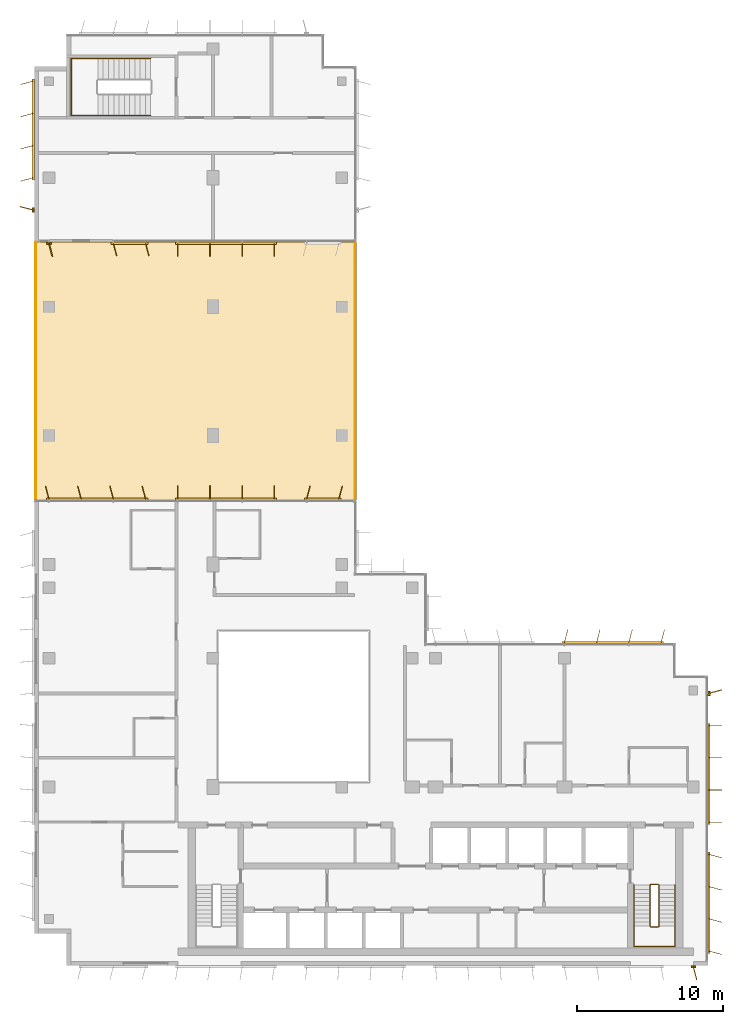
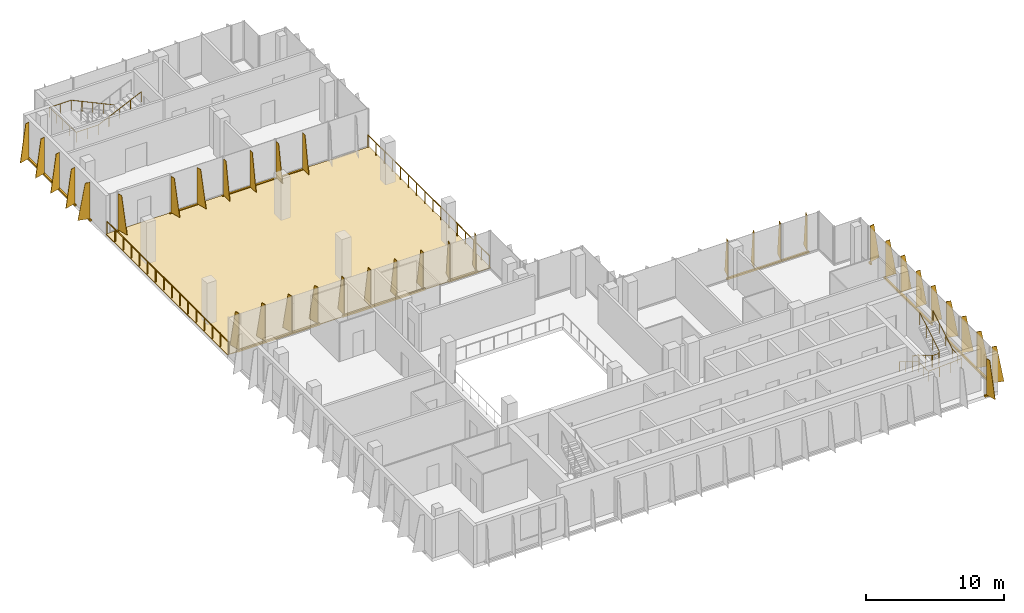
# One storey, part 14 of 15: 13 shading devices, 5 railings, 1 covering.
"""IFC4 building model written with IfcOpenShell, lengths in metres."""

from ifc_helpers import new_model, si_unit, direction, frame, origin, origin_2d, place, context, subcontext, project, spatial, polyline, rectangle, circle, outline, extrude, source, transform, mapped, material, layer, layer_set, type_object, element, save


model = new_model("IFC4")

# Units and contexts
model_context = context("Model", 3, precision=1e-05, world=origin(), true_north=direction((0.0, 1.0)))
body_context = subcontext(model_context, "Body", "Model", "MODEL_VIEW")
ifc_project = project(units=[si_unit("LENGTHUNIT", "METRE"), si_unit("AREAUNIT", "SQUARE_METRE"), si_unit("VOLUMEUNIT", "CUBIC_METRE"), si_unit("PLANEANGLEUNIT", "RADIAN"), si_unit("MASSUNIT", "GRAM", prefix="KILO")], contexts=[model_context])

# Site, building, storey
site_placement = place(None, origin())
site = spatial("IfcSite", under=ifc_project, at=site_placement, CompositionType="ELEMENT")
building_placement = place(site_placement, origin())
building = spatial("IfcBuilding", under=site, at=building_placement, Name="Kemantara Hotel Tower", CompositionType="ELEMENT")
storey_placement = place(building_placement, frame((0.0, 0.0, 241.300048828125)))
storey = spatial("IfcBuildingStorey", under=building, at=storey_placement, Name="L60", CompositionType="ELEMENT", Elevation=241.300048828125)

# Railings
ifc_material_1 = material(Name="Stainless steel balustrade", Category="steel")
railing_type_1 = type_object("IfcRailingType", Name="Stair guard 1100 mm", PredefinedType="GUARDRAIL", material=ifc_material_1)
railing_1_placement = place(storey_placement, frame((42.64990234375, 5.5, 3.699951171875)))
element("IfcRailing", 1, at=railing_1_placement, inside=storey, type_object=railing_type_1, Name="L60 ST2 stair guard 1", PredefinedType="GUARDRAIL", context=body_context, shape_type="SweptSolid", body=[
    extrude(circle(Radius=0.02392578125, at=origin_2d()), frame((0.0, 0.0, 1.076171875), z_axis=(0.0, -0.857242210791, -0.514913383045), x_axis=(1.0, 0.0, 0.0)), (0.0, 0.0, 1.0), 3.266357421875),
    extrude(circle(Radius=0.02392578125, at=origin_2d()), frame((0.0, -2.800048828125, -0.60595703125), z_axis=(-0.273006030465, -0.27434429532, -0.922064485248), x_axis=(0.708833529934, -0.705375805398, 0.0)), (0.0, 0.0, 1.0), 0.182373046875),
    extrude(circle(Radius=0.02392578125, at=origin_2d()), frame((-0.0498046875, -2.85009765625, -0.77392578125), z_axis=(-1.0, 0.0, 0.0), x_axis=(0.0, -1.0, 0.0)), (0.0, 0.0, 1.0), 0.5),
    extrude(circle(Radius=0.02392578125, at=origin_2d()), frame((-0.5498046875, -2.85009765625, -0.77392578125), z_axis=(-0.707106781187, 0.707106781187, 0.0), x_axis=(-0.707106781187, -0.707106781187, 0.0)), (0.0, 0.0, 1.0), 0.07080078125),
    extrude(circle(Radius=0.02392578125, at=origin_2d()), frame((-0.599853515625, -2.800048828125, -0.77392578125), z_axis=(0.0, 0.857275202839, -0.514858452973), x_axis=(-1.0, 0.0, 0.0)), (0.0, 0.0, 1.0), 3.26611328125),
    extrude(circle(Radius=0.02392578125, at=origin_2d()), frame((-0.599853515625, 0.0, -2.45556640625), z_axis=(0.274243871929, 0.274243871929, -0.92172696468), x_axis=(-0.707106781187, 0.707106781187, 0.0)), (0.0, 0.0, 1.0), 0.1826171875),
    extrude(circle(Radius=0.02392578125, at=origin_2d()), frame((-0.5498046875, 0.050048828125, -2.6240234375), z_axis=(1.0, 0.0, 0.0), x_axis=(0.0, 1.0, 0.0)), (0.0, 0.0, 1.0), 0.5),
    extrude(circle(Radius=0.02099609375, at=origin_2d()), origin(), (0.0, 0.0, 1.0), 1.052001953125),
    extrude(circle(Radius=0.02099609375, at=origin_2d()), frame((0.0, -0.933349609375, -0.560546875)), (0.0, 0.0, 1.0), 1.052001953125),
    extrude(circle(Radius=0.02099609375, at=origin_2d()), frame((0.0, -1.86669921875, -1.121337890625)), (0.0, 0.0, 1.0), 1.052001953125),
    extrude(circle(Radius=0.02099609375, at=origin_2d()), frame((0.0, -2.800048828125, -1.681884765625)), (0.0, 0.0, 1.0), 1.052001953125),
    extrude(circle(Radius=0.02099609375, at=origin_2d()), frame((-0.0498046875, -2.85009765625, -1.85009765625)), (0.0, 0.0, 1.0), 1.052001953125),
    extrude(circle(Radius=0.02099609375, at=origin_2d()), frame((-0.5498046875, -2.85009765625, -1.85009765625)), (0.0, 0.0, 1.0), 1.052001953125),
    extrude(circle(Radius=0.02099609375, at=origin_2d()), frame((-0.599853515625, -2.800048828125, -1.85009765625)), (0.0, 0.0, 1.0), 1.052001953125),
    extrude(circle(Radius=0.02099609375, at=origin_2d()), frame((-0.599853515625, -1.86669921875, -2.41064453125)), (0.0, 0.0, 1.0), 1.052001953125),
    extrude(circle(Radius=0.02099609375, at=origin_2d()), frame((-0.599853515625, -0.933349609375, -2.97119140625)), (0.0, 0.0, 1.0), 1.052001953125),
    extrude(circle(Radius=0.02099609375, at=origin_2d()), frame((-0.599853515625, 0.0, -3.53173828125)), (0.0, 0.0, 1.0), 1.052001953125),
    extrude(circle(Radius=0.02099609375, at=origin_2d()), frame((-0.5498046875, 0.050048828125, -3.699951171875)), (0.0, 0.0, 1.0), 1.052001953125),
    extrude(circle(Radius=0.02099609375, at=origin_2d()), frame((-0.0498046875, 0.050048828125, -3.699951171875)), (0.0, 0.0, 1.0), 1.052001953125),
])
railing_type_2 = type_object("IfcRailingType", Name="Stair handrail 900 mm", PredefinedType="HANDRAIL", material=ifc_material_1)
railing_2_placement = place(storey_placement, frame((40.949951171875, 5.5, 0.168212890625)))
element("IfcRailing", 2, at=railing_2_placement, inside=storey, type_object=railing_type_2, Name="L60 ST2 stair handrail 1", PredefinedType="HANDRAIL", context=body_context, shape_type="SweptSolid", body=[
    extrude(circle(Radius=0.02392578125, at=origin_2d()), frame((0.0, 0.0, 0.8759765625), z_axis=(0.0, -0.857275202839, 0.514858452973), x_axis=(1.0, 0.0, 0.0)), (0.0, 0.0, 1.0), 3.26611328125),
    extrude(circle(Radius=0.02392578125, at=origin_2d()), frame((0.0, -2.800048828125, 2.5576171875), z_axis=(0.0, -1.0, 0.0), x_axis=(1.0, 0.0, 0.0)), (0.0, 0.0, 1.0), 1.3798828125),
    extrude(circle(Radius=0.02392578125, at=origin_2d()), frame((0.0, -4.179931640625, 2.5576171875), z_axis=(0.998200367801, 0.0, 0.059966871865), x_axis=(0.0, 1.0, 0.0)), (0.0, 0.0, 1.0), 2.80517578125),
    extrude(circle(Radius=0.02392578125, at=origin_2d()), frame((2.800048828125, -4.179931640625, 2.7255859375), z_axis=(0.0, 1.0, 0.0), x_axis=(-1.0, 0.0, 0.0)), (0.0, 0.0, 1.0), 1.3798828125),
    extrude(circle(Radius=0.02392578125, at=origin_2d()), frame((2.800048828125, -2.800048828125, 2.7255859375), z_axis=(0.0, 0.857242210791, 0.514913383045), x_axis=(-1.0, 0.0, 0.0)), (0.0, 0.0, 1.0), 3.266357421875),
    extrude(circle(Radius=0.02099609375, at=origin_2d()), origin(), (0.0, 0.0, 1.0), 0.851806640625),
    extrude(circle(Radius=0.02099609375, at=origin_2d()), frame((0.0, -0.933349609375, 0.560546875)), (0.0, 0.0, 1.0), 0.851806640625),
    extrude(circle(Radius=0.02099609375, at=origin_2d()), frame((0.0, -1.86669921875, 1.12109375)), (0.0, 0.0, 1.0), 0.851806640625),
    extrude(circle(Radius=0.02099609375, at=origin_2d()), frame((0.0, -2.800048828125, 1.681640625)), (0.0, 0.0, 1.0), 0.851806640625),
    extrude(circle(Radius=0.02099609375, at=origin_2d()), frame((0.0, -3.489990234375, 1.681640625)), (0.0, 0.0, 1.0), 0.851806640625),
    extrude(circle(Radius=0.02099609375, at=origin_2d()), frame((0.0, -4.179931640625, 1.681640625)), (0.0, 0.0, 1.0), 0.851806640625),
    extrude(circle(Radius=0.02099609375, at=origin_2d()), frame((0.933349609375, -4.179931640625, 1.73779296875)), (0.0, 0.0, 1.0), 0.851806640625),
    extrude(circle(Radius=0.02099609375, at=origin_2d()), frame((1.86669921875, -4.179931640625, 1.793701171875)), (0.0, 0.0, 1.0), 0.851806640625),
    extrude(circle(Radius=0.02099609375, at=origin_2d()), frame((2.800048828125, -4.179931640625, 1.849853515625)), (0.0, 0.0, 1.0), 0.851806640625),
    extrude(circle(Radius=0.02099609375, at=origin_2d()), frame((2.800048828125, -3.489990234375, 1.849853515625)), (0.0, 0.0, 1.0), 0.851806640625),
    extrude(circle(Radius=0.02099609375, at=origin_2d()), frame((2.800048828125, -2.800048828125, 1.849853515625)), (0.0, 0.0, 1.0), 0.851806640625),
    extrude(circle(Radius=0.02099609375, at=origin_2d()), frame((2.800048828125, -1.86669921875, 2.410400390625)), (0.0, 0.0, 1.0), 0.851806640625),
    extrude(circle(Radius=0.02099609375, at=origin_2d()), frame((2.800048828125, -0.933349609375, 2.97119140625)), (0.0, 0.0, 1.0), 0.851806640625),
    extrude(circle(Radius=0.02099609375, at=origin_2d()), frame((2.800048828125, 0.0, 3.53173828125)), (0.0, 0.0, 1.0), 0.851806640625),
])
railing_3_placement = place(storey_placement, frame((7.949951171875, 61.949951171875, 0.168212890625)))
element("IfcRailing", 3, at=railing_3_placement, inside=storey, type_object=railing_type_2, Name="L60 ST4 stair handrail 1", PredefinedType="HANDRAIL", context=body_context, shape_type="SweptSolid", body=[
    extrude(circle(Radius=0.02392578125, at=origin_2d()), frame((0.0, 0.0, 0.8759765625), z_axis=(-0.906018243939, 0.0, 0.423238634402), x_axis=(0.0, -1.0, 0.0)), (0.0, 0.0, 1.0), 3.973388671875),
    extrude(circle(Radius=0.02392578125, at=origin_2d()), frame((-3.599853515625, 0.0, 2.5576171875), z_axis=(-1.0, 0.0, 0.0), x_axis=(0.0, -1.0, 0.0)), (0.0, 0.0, 1.0), 1.830078125),
    extrude(circle(Radius=0.02392578125, at=origin_2d()), frame((-5.429931640625, 0.0, 2.5576171875), z_axis=(0.0, -0.999071085748, 0.043092523981), x_axis=(1.0, 0.0, 0.0)), (0.0, 0.0, 1.0), 3.903564453125),
    extrude(circle(Radius=0.02392578125, at=origin_2d()), frame((-5.429931640625, -3.89990234375, 2.7255859375), z_axis=(1.0, 0.0, 0.0), x_axis=(0.0, 1.0, 0.0)), (0.0, 0.0, 1.0), 1.830078125),
    extrude(circle(Radius=0.02392578125, at=origin_2d()), frame((-3.599853515625, -3.89990234375, 2.7255859375), z_axis=(0.905994681025, 0.0, 0.423289071386), x_axis=(0.0, 1.0, 0.0)), (0.0, 0.0, 1.0), 3.973388671875),
    extrude(circle(Radius=0.02099609375, at=origin_2d()), origin(), (0.0, 0.0, 1.0), 0.851806640625),
    extrude(circle(Radius=0.02099609375, at=origin_2d()), frame((-0.89990234375, 0.0, 0.42041015625)), (0.0, 0.0, 1.0), 0.851806640625),
    extrude(circle(Radius=0.02099609375, at=origin_2d()), frame((-1.7998046875, 0.0, 0.8408203125)), (0.0, 0.0, 1.0), 0.851806640625),
    extrude(circle(Radius=0.02099609375, at=origin_2d()), frame((-2.699951171875, 0.0, 1.26123046875)), (0.0, 0.0, 1.0), 0.851806640625),
    extrude(circle(Radius=0.02099609375, at=origin_2d()), frame((-3.599853515625, 0.0, 1.681640625)), (0.0, 0.0, 1.0), 0.851806640625),
    extrude(circle(Radius=0.02099609375, at=origin_2d()), frame((-4.514892578125, 0.0, 1.681640625)), (0.0, 0.0, 1.0), 0.851806640625),
    extrude(circle(Radius=0.02099609375, at=origin_2d()), frame((-5.429931640625, 0.0, 1.681640625)), (0.0, 0.0, 1.0), 0.851806640625),
    extrude(circle(Radius=0.02099609375, at=origin_2d()), frame((-5.429931640625, -0.97509765625, 1.7236328125)), (0.0, 0.0, 1.0), 0.851806640625),
    extrude(circle(Radius=0.02099609375, at=origin_2d()), frame((-5.429931640625, -1.949951171875, 1.765625)), (0.0, 0.0, 1.0), 0.851806640625),
    extrude(circle(Radius=0.02099609375, at=origin_2d()), frame((-5.429931640625, -2.9248046875, 1.807861328125)), (0.0, 0.0, 1.0), 0.851806640625),
    extrude(circle(Radius=0.02099609375, at=origin_2d()), frame((-5.429931640625, -3.89990234375, 1.849853515625)), (0.0, 0.0, 1.0), 0.851806640625),
    extrude(circle(Radius=0.02099609375, at=origin_2d()), frame((-4.514892578125, -3.89990234375, 1.849853515625)), (0.0, 0.0, 1.0), 0.851806640625),
    extrude(circle(Radius=0.02099609375, at=origin_2d()), frame((-3.599853515625, -3.89990234375, 1.849853515625)), (0.0, 0.0, 1.0), 0.851806640625),
    extrude(circle(Radius=0.02099609375, at=origin_2d()), frame((-2.699951171875, -3.89990234375, 2.270263671875)), (0.0, 0.0, 1.0), 0.851806640625),
    extrude(circle(Radius=0.02099609375, at=origin_2d()), frame((-1.7998046875, -3.89990234375, 2.69091796875)), (0.0, 0.0, 1.0), 0.851806640625),
    extrude(circle(Radius=0.02099609375, at=origin_2d()), frame((-0.89990234375, -3.89990234375, 3.111328125)), (0.0, 0.0, 1.0), 0.851806640625),
    extrude(circle(Radius=0.02099609375, at=origin_2d()), frame((0.0, -3.89990234375, 3.53173828125)), (0.0, 0.0, 1.0), 0.851806640625),
])
ifc_material_2 = material(Name="Stainless steel 316 (EN 1.4401)", Category="steel")
railing_type_3 = type_object("IfcRailingType", Name="TERRACE GUARD, STAINLESS STEEL 1100", PredefinedType="GUARDRAIL", material=ifc_material_2)
railing_4_placement = place(storey_placement, frame((0.10009765625, 31.800048828125, 0.050048828125)))
element("IfcRailing", 4, at=railing_4_placement, inside=storey, type_object=railing_type_3, Name="WIND PORTAL FLOOR GUARD WEST", PredefinedType="GUARDRAIL", context=body_context, shape_type="SweptSolid", body=[
    extrude(circle(Radius=0.02490234375, at=origin_2d()), frame((0.0, 0.0, 1.0751953125), z_axis=(0.0, 1.0, 0.0), x_axis=(-1.0, 0.0, 0.0)), (0.0, 0.0, 1.0), 17.599853515625),
    extrude(circle(Radius=0.02001953125, at=origin_2d()), origin(), (0.0, 0.0, 1.0), 1.050048828125),
    extrude(circle(Radius=0.02001953125, at=origin_2d()), frame((0.0, 1.17333984375, 0.0)), (0.0, 0.0, 1.0), 1.050048828125),
    extrude(circle(Radius=0.02001953125, at=origin_2d()), frame((0.0, 2.3466796875, 0.0)), (0.0, 0.0, 1.0), 1.050048828125),
    extrude(circle(Radius=0.02001953125, at=origin_2d()), frame((0.0, 3.52001953125, 0.0)), (0.0, 0.0, 1.0), 1.050048828125),
    extrude(circle(Radius=0.02001953125, at=origin_2d()), frame((0.0, 4.693359375, 0.0)), (0.0, 0.0, 1.0), 1.050048828125),
    extrude(circle(Radius=0.02001953125, at=origin_2d()), frame((0.0, 5.86669921875, 0.0)), (0.0, 0.0, 1.0), 1.050048828125),
    extrude(circle(Radius=0.02001953125, at=origin_2d()), frame((0.0, 7.0400390625, 0.0)), (0.0, 0.0, 1.0), 1.050048828125),
    extrude(circle(Radius=0.02001953125, at=origin_2d()), frame((0.0, 8.21337890625, 0.0)), (0.0, 0.0, 1.0), 1.050048828125),
    extrude(circle(Radius=0.02001953125, at=origin_2d()), frame((0.0, 9.386474609375, 0.0)), (0.0, 0.0, 1.0), 1.050048828125),
    extrude(circle(Radius=0.02001953125, at=origin_2d()), frame((0.0, 10.559814453125, 0.0)), (0.0, 0.0, 1.0), 1.050048828125),
    extrude(circle(Radius=0.02001953125, at=origin_2d()), frame((0.0, 11.733154296875, 0.0)), (0.0, 0.0, 1.0), 1.050048828125),
    extrude(circle(Radius=0.02001953125, at=origin_2d()), frame((0.0, 12.906494140625, 0.0)), (0.0, 0.0, 1.0), 1.050048828125),
    extrude(circle(Radius=0.02001953125, at=origin_2d()), frame((0.0, 14.079833984375, 0.0)), (0.0, 0.0, 1.0), 1.050048828125),
    extrude(circle(Radius=0.02001953125, at=origin_2d()), frame((0.0, 15.253173828125, 0.0)), (0.0, 0.0, 1.0), 1.050048828125),
    extrude(circle(Radius=0.02001953125, at=origin_2d()), frame((0.0, 16.426513671875, 0.0)), (0.0, 0.0, 1.0), 1.050048828125),
    extrude(circle(Radius=0.02001953125, at=origin_2d()), frame((0.0, 17.599853515625, 0.0)), (0.0, 0.0, 1.0), 1.050048828125),
])
railing_5_placement = place(storey_placement, frame((21.89990234375, 31.800048828125, 0.050048828125)))
element("IfcRailing", 5, at=railing_5_placement, inside=storey, type_object=railing_type_3, Name="WIND PORTAL FLOOR GUARD EAST", PredefinedType="GUARDRAIL", context=body_context, shape_type="SweptSolid", body=[
    extrude(circle(Radius=0.02490234375, at=origin_2d()), frame((0.0, 0.0, 1.0751953125), z_axis=(0.0, 1.0, 0.0), x_axis=(-1.0, 0.0, 0.0)), (0.0, 0.0, 1.0), 17.599853515625),
    extrude(circle(Radius=0.02001953125, at=origin_2d()), origin(), (0.0, 0.0, 1.0), 1.050048828125),
    extrude(circle(Radius=0.02001953125, at=origin_2d()), frame((0.0, 1.17333984375, 0.0)), (0.0, 0.0, 1.0), 1.050048828125),
    extrude(circle(Radius=0.02001953125, at=origin_2d()), frame((0.0, 2.3466796875, 0.0)), (0.0, 0.0, 1.0), 1.050048828125),
    extrude(circle(Radius=0.02001953125, at=origin_2d()), frame((0.0, 3.52001953125, 0.0)), (0.0, 0.0, 1.0), 1.050048828125),
    extrude(circle(Radius=0.02001953125, at=origin_2d()), frame((0.0, 4.693359375, 0.0)), (0.0, 0.0, 1.0), 1.050048828125),
    extrude(circle(Radius=0.02001953125, at=origin_2d()), frame((0.0, 5.86669921875, 0.0)), (0.0, 0.0, 1.0), 1.050048828125),
    extrude(circle(Radius=0.02001953125, at=origin_2d()), frame((0.0, 7.0400390625, 0.0)), (0.0, 0.0, 1.0), 1.050048828125),
    extrude(circle(Radius=0.02001953125, at=origin_2d()), frame((0.0, 8.21337890625, 0.0)), (0.0, 0.0, 1.0), 1.050048828125),
    extrude(circle(Radius=0.02001953125, at=origin_2d()), frame((0.0, 9.386474609375, 0.0)), (0.0, 0.0, 1.0), 1.050048828125),
    extrude(circle(Radius=0.02001953125, at=origin_2d()), frame((0.0, 10.559814453125, 0.0)), (0.0, 0.0, 1.0), 1.050048828125),
    extrude(circle(Radius=0.02001953125, at=origin_2d()), frame((0.0, 11.733154296875, 0.0)), (0.0, 0.0, 1.0), 1.050048828125),
    extrude(circle(Radius=0.02001953125, at=origin_2d()), frame((0.0, 12.906494140625, 0.0)), (0.0, 0.0, 1.0), 1.050048828125),
    extrude(circle(Radius=0.02001953125, at=origin_2d()), frame((0.0, 14.079833984375, 0.0)), (0.0, 0.0, 1.0), 1.050048828125),
    extrude(circle(Radius=0.02001953125, at=origin_2d()), frame((0.0, 15.253173828125, 0.0)), (0.0, 0.0, 1.0), 1.050048828125),
    extrude(circle(Radius=0.02001953125, at=origin_2d()), frame((0.0, 16.426513671875, 0.0)), (0.0, 0.0, 1.0), 1.050048828125),
    extrude(circle(Radius=0.02001953125, at=origin_2d()), frame((0.0, 17.599853515625, 0.0)), (0.0, 0.0, 1.0), 1.050048828125),
])

# Covering
ifc_material_3 = material(Name="Bituminous roofing membrane under porcelain paving")
ifc_layer_1 = layer(ifc_material_3, 0.050048828125)
ifc_layer_set_1 = layer_set([ifc_layer_1], Name="Bituminous roofing membrane under porcelain paving")
covering_type = type_object("IfcCoveringType", Name="TERRACE ROOFING AND PAVING 50", PredefinedType="ROOFING", material=ifc_layer_set_1)
covering_placement = place(storey_placement, origin())
element("IfcCovering", 6, at=covering_placement, inside=storey, type_object=covering_type, Name="ROOFING AND PAVING WIND PORTAL FLOOR", PredefinedType="ROOFING", context=body_context, shape_type="SweptSolid", body=[
    extrude(outline(polyline([(0.0, 31.800048828125), (22.0, 31.800048828125), (22.0, 49.39990234375), (0.0, 49.39990234375), (0.0, 31.800048828125)])), origin(), (0.0, 0.0, 1.0), 0.050048828125),
])

# Shading devices
ifc_material_4 = material(Name="Perforated aluminium plate 4 mm bronze anodised", Category="aluminium")
ifc_layer_2 = layer(ifc_material_4, 0.0400390625)
ifc_layer_set_2 = layer_set([ifc_layer_2], Name="Perforated aluminium plate 4 mm bronze anodised")
shading_device_type_1 = type_object("IfcShadingDeviceType", Name="SCREEN FIN CASSETTE, 4 BLADES AT +0.0 DEG, 3200 HIGH", PredefinedType="USERDEFINED", material=ifc_layer_set_2)
shared_shape_1 = source(origin(), body_context, "Body", "SweptSolid", [
    extrude(rectangle(XDim=6.89990234375, YDim=0.14990234375, at=origin_2d()), frame((3.300048828125, -0.074951171875, -0.14990234375), z_axis=(0.0, 0.0, 1.0), x_axis=(1.0, 0.0, 0.0)), (0.0, 0.0, 1.0), 0.14990234375),
    extrude(outline(polyline([(0.0, 0.0), (0.89990234375, 0.0), (0.35009765625, 3.199951171875), (0.0, 3.199951171875), (0.0, 0.0)])), frame((0.02001953125, -0.074951171875, 0.0), z_axis=(-1.0, 0.0, 0.0), x_axis=(0.0, -1.0, 0.0)), (0.0, 0.0, 1.0), 0.0400390625),
    extrude(outline(polyline([(0.0, 0.0), (0.89990234375, 0.0), (0.35009765625, 3.199951171875), (0.0, 3.199951171875), (0.0, 0.0)])), frame((2.219970703125, -0.074951171875, 0.0), z_axis=(-1.0, 0.0, 0.0), x_axis=(0.0, -1.0, 0.0)), (0.0, 0.0, 1.0), 0.0400390625),
    extrude(outline(polyline([(0.0, 0.0), (0.89990234375, 0.0), (0.35009765625, 3.199951171875), (0.0, 3.199951171875), (0.0, 0.0)])), frame((4.419921875, -0.074951171875, 0.0), z_axis=(-1.0, 0.0, 0.0), x_axis=(0.0, -1.0, 0.0)), (0.0, 0.0, 1.0), 0.0400390625),
    extrude(outline(polyline([(0.0, 0.0), (0.89990234375, 0.0), (0.35009765625, 3.199951171875), (0.0, 3.199951171875), (0.0, 0.0)])), frame((6.6201171875, -0.074951171875, 0.0), z_axis=(-1.0, 0.0, 0.0), x_axis=(0.0, -1.0, 0.0)), (0.0, 0.0, 1.0), 0.0400390625),
])
for number, where, z_axis, x_axis, name in (
    (7, (16.39990234375, 31.800048828125, 0.099853515625), (0.0, 0.0, 1.0), (-1.0, 0.0, 0.0), "SCREEN FIN CASSETTE L60 T4P-R01-2"),
    (8, (46.0, 9.800048828125, 0.099853515625), (0.0, 0.0, 1.0), (0.0, 1.0, 0.0), "SCREEN FIN CASSETTE L60 T4P-R06-2"),
    (9, (9.800048828125, 49.39990234375, 0.099853515625), (0.0, 0.0, 1.0), (1.0, 0.0, 0.0), "SCREEN FIN CASSETTE L60 T4P-R12-3"),
):
    element("IfcShadingDevice", number, at=place(storey_placement, frame(where, z_axis=z_axis, x_axis=x_axis)), inside=storey, type_object=shading_device_type_1, Name=name, ObjectType="SCREEN FIN", PredefinedType="USERDEFINED", context=body_context, shape_type="MappedRepresentation", body=[
        mapped(shared_shape_1, transform((0.0, 0.0, 0.0))),
    ])
ifc_layer_3 = layer(ifc_material_4, 0.0400390625)
ifc_layer_set_3 = layer_set([ifc_layer_3], Name="Perforated aluminium plate 4 mm bronze anodised")
shading_device_type_2 = type_object("IfcShadingDeviceType", Name="SCREEN FIN CASSETTE, 4 BLADES AT +15.0 DEG, 3200 HIGH", PredefinedType="USERDEFINED", material=ifc_layer_set_3)
shared_shape_2 = source(origin(), body_context, "Body", "SweptSolid", [
    extrude(rectangle(XDim=6.89990234375, YDim=0.14990234375, at=origin_2d()), frame((3.300048828125, -0.074951171875, -0.14990234375), z_axis=(0.0, 0.0, 1.0), x_axis=(1.0, 0.0, 0.0)), (0.0, 0.0, 1.0), 0.14990234375),
    extrude(outline(polyline([(0.0, 0.0), (0.89990234375, 0.0), (0.35009765625, 3.199951171875), (0.0, 3.199951171875), (0.0, 0.0)])), frame((0.019287109375, -0.06982421875, 0.0), z_axis=(-0.966437683387, -0.256901156343, 0.0), x_axis=(0.256901156343, -0.966437683387, 0.0)), (0.0, 0.0, 1.0), 0.039794921875),
    extrude(outline(polyline([(0.0, 0.0), (0.89990234375, 0.0), (0.35009765625, 3.199951171875), (0.0, 3.199951171875), (0.0, 0.0)])), frame((2.21923828125, -0.06982421875, 0.0), z_axis=(-0.966437683387, -0.256901156343, 0.0), x_axis=(0.256901156343, -0.966437683387, 0.0)), (0.0, 0.0, 1.0), 0.039794921875),
    extrude(outline(polyline([(0.0, 0.0), (0.89990234375, 0.0), (0.35009765625, 3.199951171875), (0.0, 3.199951171875), (0.0, 0.0)])), frame((4.41943359375, -0.06982421875, 0.0), z_axis=(-0.966837822169, -0.255391122837, 0.0), x_axis=(0.255391122837, -0.966837822169, 0.0)), (0.0, 0.0, 1.0), 0.0400390625),
    extrude(outline(polyline([(0.0, 0.0), (0.89990234375, 0.0), (0.35009765625, 3.199951171875), (0.0, 3.199951171875), (0.0, 0.0)])), frame((6.619384765625, -0.06982421875, 0.0), z_axis=(-0.966837822169, -0.255391122837, 0.0), x_axis=(0.255391122837, -0.966837822169, 0.0)), (0.0, 0.0, 1.0), 0.0400390625),
])
for number, where, z_axis, x_axis, name in (
    (10, (7.60009765625, 31.800048828125, 0.099853515625), (0.0, 0.0, 1.0), (-1.0, 0.0, 0.0), "SCREEN FIN CASSETTE L60 T4P-R01-3"),
    (11, (0.0, 60.39990234375, 0.099853515625), (0.0, 0.0, 1.0), (0.0, -1.0, 0.0), "SCREEN FIN CASSETTE L60 T4P-R19-1"),
):
    element("IfcShadingDevice", number, at=place(storey_placement, frame(where, z_axis=z_axis, x_axis=x_axis)), inside=storey, type_object=shading_device_type_2, Name=name, ObjectType="SCREEN FIN", PredefinedType="USERDEFINED", context=body_context, shape_type="MappedRepresentation", body=[
        mapped(shared_shape_2, transform((0.0, 0.0, 0.0))),
    ])
ifc_layer_4 = layer(ifc_material_4, 0.0400390625)
ifc_layer_set_4 = layer_set([ifc_layer_4], Name="Perforated aluminium plate 4 mm bronze anodised")
shading_device_type_3 = type_object("IfcShadingDeviceType", Name="SCREEN FIN CASSETTE, 4 BLADES AT -15.0 DEG, 3200 HIGH", PredefinedType="USERDEFINED", material=ifc_layer_set_4)
shared_shape_3 = source(origin(), body_context, "Body", "SweptSolid", [
    extrude(rectangle(XDim=6.89990234375, YDim=0.14990234375, at=origin_2d()), frame((3.300048828125, -0.074951171875, -0.14990234375), z_axis=(0.0, 0.0, 1.0), x_axis=(1.0, 0.0, 0.0)), (0.0, 0.0, 1.0), 0.14990234375),
    extrude(outline(polyline([(0.0, 0.0), (0.89990234375, 0.0), (0.35009765625, 3.199951171875), (0.0, 3.199951171875), (0.0, 0.0)])), frame((0.019287109375, -0.080078125, 0.0), z_axis=(-0.966437683387, 0.256901156343, 0.0), x_axis=(-0.256901156343, -0.966437683387, 0.0)), (0.0, 0.0, 1.0), 0.039794921875),
    extrude(outline(polyline([(0.0, 0.0), (0.89990234375, 0.0), (0.35009765625, 3.199951171875), (0.0, 3.199951171875), (0.0, 0.0)])), frame((2.21923828125, -0.080078125, 0.0), z_axis=(-0.966437683387, 0.256901156343, 0.0), x_axis=(-0.256901156343, -0.966437683387, 0.0)), (0.0, 0.0, 1.0), 0.039794921875),
    extrude(outline(polyline([(0.0, 0.0), (0.89990234375, 0.0), (0.35009765625, 3.199951171875), (0.0, 3.199951171875), (0.0, 0.0)])), frame((4.41943359375, -0.080078125, 0.0), z_axis=(-0.966837822169, 0.255391122837, 0.0), x_axis=(-0.255391122837, -0.966837822169, 0.0)), (0.0, 0.0, 1.0), 0.0400390625),
    extrude(outline(polyline([(0.0, 0.0), (0.89990234375, 0.0), (0.35009765625, 3.199951171875), (0.0, 3.199951171875), (0.0, 0.0)])), frame((6.619384765625, -0.080078125, 0.0), z_axis=(-0.966837822169, 0.255391122837, 0.0), x_axis=(-0.255391122837, -0.966837822169, 0.0)), (0.0, 0.0, 1.0), 0.0400390625),
])
for number, where, z_axis, x_axis, name in (
    (12, (46.0, 1.0, 0.099853515625), (0.0, 0.0, 1.0), (0.0, 1.0, 0.0), "SCREEN FIN CASSETTE L60 T4P-R06-1"),
    (13, (42.800048828125, 22.0, 0.099853515625), (0.0, 0.0, 1.0), (-1.0, 0.0, 0.0), "SCREEN FIN CASSETTE L60 T4P-R09-1"),
):
    element("IfcShadingDevice", number, at=place(storey_placement, frame(where, z_axis=z_axis, x_axis=x_axis)), inside=storey, type_object=shading_device_type_3, Name=name, ObjectType="SCREEN FIN", PredefinedType="USERDEFINED", context=body_context, shape_type="MappedRepresentation", body=[
        mapped(shared_shape_3, transform((0.0, 0.0, 0.0))),
    ])
ifc_layer_5 = layer(ifc_material_4, 0.0400390625)
ifc_layer_set_5 = layer_set([ifc_layer_5], Name="Perforated aluminium plate 4 mm bronze anodised")
shading_device_type_4 = type_object("IfcShadingDeviceType", Name="SCREEN FIN CASSETTE, 1 BLADE AT +15.0 DEG, 3200 HIGH", PredefinedType="USERDEFINED", material=ifc_layer_set_5)
shared_shape_4 = source(origin(), body_context, "Body", "SweptSolid", [
    extrude(rectangle(XDim=0.300048828125, YDim=0.14990234375, at=origin_2d()), frame((0.0, -0.074951171875, -0.14990234375), z_axis=(0.0, 0.0, 1.0), x_axis=(1.0, 0.0, 0.0)), (0.0, 0.0, 1.0), 0.14990234375),
    extrude(outline(polyline([(0.0, 0.0), (0.89990234375, 0.0), (0.35009765625, 3.199951171875), (0.0, 3.199951171875), (0.0, 0.0)])), frame((0.019287109375, -0.06982421875, 0.0), z_axis=(-0.966437683387, -0.256901156343, 0.0), x_axis=(0.256901156343, -0.966437683387, 0.0)), (0.0, 0.0, 1.0), 0.039794921875),
])
for number, where, z_axis, x_axis, name in (
    (14, (45.0, 0.0, 0.099853515625), (0.0, 0.0, 1.0), (1.0, 0.0, 0.0), "SCREEN FIN CASSETTE L60 T4P-R05-6"),
    (15, (46.0, 18.60009765625, 0.099853515625), (0.0, 0.0, 1.0), (0.0, 1.0, 0.0), "SCREEN FIN CASSETTE L60 T4P-R06-3"),
    (16, (1.0, 49.39990234375, 0.099853515625), (0.0, 0.0, 1.0), (1.0, 0.0, 0.0), "SCREEN FIN CASSETTE L60 T4P-R12-1"),
):
    element("IfcShadingDevice", number, at=place(storey_placement, frame(where, z_axis=z_axis, x_axis=x_axis)), inside=storey, type_object=shading_device_type_4, Name=name, ObjectType="SCREEN FIN", PredefinedType="USERDEFINED", context=body_context, shape_type="MappedRepresentation", body=[
        mapped(shared_shape_4, transform((0.0, 0.0, 0.0))),
    ])
ifc_layer_6 = layer(ifc_material_4, 0.0400390625)
ifc_layer_set_6 = layer_set([ifc_layer_6], Name="Perforated aluminium plate 4 mm bronze anodised")
shading_device_type_5 = type_object("IfcShadingDeviceType", Name="SCREEN FIN CASSETTE, 2 BLADES AT +15.0 DEG, 3200 HIGH", PredefinedType="USERDEFINED", material=ifc_layer_set_6)
shared_shape_5 = source(origin(), body_context, "Body", "SweptSolid", [
    extrude(rectangle(XDim=2.5, YDim=0.14990234375, at=origin_2d()), frame((1.10009765625, -0.074951171875, -0.14990234375), z_axis=(0.0, 0.0, 1.0), x_axis=(1.0, 0.0, 0.0)), (0.0, 0.0, 1.0), 0.14990234375),
    extrude(outline(polyline([(0.0, 0.0), (0.89990234375, 0.0), (0.35009765625, 3.199951171875), (0.0, 3.199951171875), (0.0, 0.0)])), frame((0.019287109375, -0.06982421875, 0.0), z_axis=(-0.966437683387, -0.256901156343, 0.0), x_axis=(0.256901156343, -0.966437683387, 0.0)), (0.0, 0.0, 1.0), 0.039794921875),
    extrude(outline(polyline([(0.0, 0.0), (0.89990234375, 0.0), (0.35009765625, 3.199951171875), (0.0, 3.199951171875), (0.0, 0.0)])), frame((2.21923828125, -0.06982421875, 0.0), z_axis=(-0.966437683387, -0.256901156343, 0.0), x_axis=(0.256901156343, -0.966437683387, 0.0)), (0.0, 0.0, 1.0), 0.039794921875),
])
shading_device_1_placement = place(storey_placement, frame((5.39990234375, 49.39990234375, 0.099853515625), z_axis=(0.0, 0.0, 1.0), x_axis=(1.0, 0.0, 0.0)))
element("IfcShadingDevice", 17, at=shading_device_1_placement, inside=storey, type_object=shading_device_type_5, Name="SCREEN FIN CASSETTE L60 T4P-R12-2", ObjectType="SCREEN FIN", PredefinedType="USERDEFINED", context=body_context, shape_type="MappedRepresentation", body=[
    mapped(shared_shape_5, transform((0.0, 0.0, 0.0))),
])
ifc_layer_7 = layer(ifc_material_4, 0.0400390625)
ifc_layer_set_7 = layer_set([ifc_layer_7], Name="Perforated aluminium plate 4 mm bronze anodised")
shading_device_type_6 = type_object("IfcShadingDeviceType", Name="SCREEN FIN CASSETTE, 2 BLADES AT -15.0 DEG, 3200 HIGH", PredefinedType="USERDEFINED", material=ifc_layer_set_7)
shared_shape_6 = source(origin(), body_context, "Body", "SweptSolid", [
    extrude(rectangle(XDim=2.5, YDim=0.14990234375, at=origin_2d()), frame((1.10009765625, -0.074951171875, -0.14990234375), z_axis=(0.0, 0.0, 1.0), x_axis=(1.0, 0.0, 0.0)), (0.0, 0.0, 1.0), 0.14990234375),
    extrude(outline(polyline([(0.0, 0.0), (0.89990234375, 0.0), (0.35009765625, 3.199951171875), (0.0, 3.199951171875), (0.0, 0.0)])), frame((0.019287109375, -0.080078125, 0.0), z_axis=(-0.966437683387, 0.256901156343, 0.0), x_axis=(-0.256901156343, -0.966437683387, 0.0)), (0.0, 0.0, 1.0), 0.039794921875),
    extrude(outline(polyline([(0.0, 0.0), (0.89990234375, 0.0), (0.35009765625, 3.199951171875), (0.0, 3.199951171875), (0.0, 0.0)])), frame((2.21923828125, -0.080078125, 0.0), z_axis=(-0.966437683387, 0.256901156343, 0.0), x_axis=(-0.256901156343, -0.966437683387, 0.0)), (0.0, 0.0, 1.0), 0.039794921875),
])
shading_device_2_placement = place(storey_placement, frame((20.800048828125, 31.800048828125, 0.099853515625), z_axis=(0.0, 0.0, 1.0), x_axis=(-1.0, 0.0, 0.0)))
element("IfcShadingDevice", 18, at=shading_device_2_placement, inside=storey, type_object=shading_device_type_6, Name="SCREEN FIN CASSETTE L60 T4P-R01-1", ObjectType="SCREEN FIN", PredefinedType="USERDEFINED", context=body_context, shape_type="MappedRepresentation", body=[
    mapped(shared_shape_6, transform((0.0, 0.0, 0.0))),
])
ifc_layer_8 = layer(ifc_material_4, 0.0400390625)
ifc_layer_set_8 = layer_set([ifc_layer_8], Name="Perforated aluminium plate 4 mm bronze anodised")
shading_device_type_7 = type_object("IfcShadingDeviceType", Name="SCREEN FIN CASSETTE, 1 BLADE AT -15.0 DEG, 3200 HIGH", PredefinedType="USERDEFINED", material=ifc_layer_set_8)
shared_shape_7 = source(origin(), body_context, "Body", "SweptSolid", [
    extrude(rectangle(XDim=0.300048828125, YDim=0.14990234375, at=origin_2d()), frame((0.0, -0.074951171875, -0.14990234375), z_axis=(0.0, 0.0, 1.0), x_axis=(1.0, 0.0, 0.0)), (0.0, 0.0, 1.0), 0.14990234375),
    extrude(outline(polyline([(0.0, 0.0), (0.89990234375, 0.0), (0.35009765625, 3.199951171875), (0.0, 3.199951171875), (0.0, 0.0)])), frame((0.019287109375, -0.080078125, 0.0), z_axis=(-0.966437683387, 0.256901156343, 0.0), x_axis=(-0.256901156343, -0.966437683387, 0.0)), (0.0, 0.0, 1.0), 0.039794921875),
])
shading_device_3_placement = place(storey_placement, frame((0.0, 51.60009765625, 0.099853515625), z_axis=(0.0, 0.0, 1.0), x_axis=(0.0, -1.0, 0.0)))
element("IfcShadingDevice", 19, at=shading_device_3_placement, inside=storey, type_object=shading_device_type_7, Name="SCREEN FIN CASSETTE L60 T4P-R19-2", ObjectType="SCREEN FIN", PredefinedType="USERDEFINED", context=body_context, shape_type="MappedRepresentation", body=[
    mapped(shared_shape_7, transform((0.0, 0.0, 0.0))),
])

save(model, "model.ifc")
